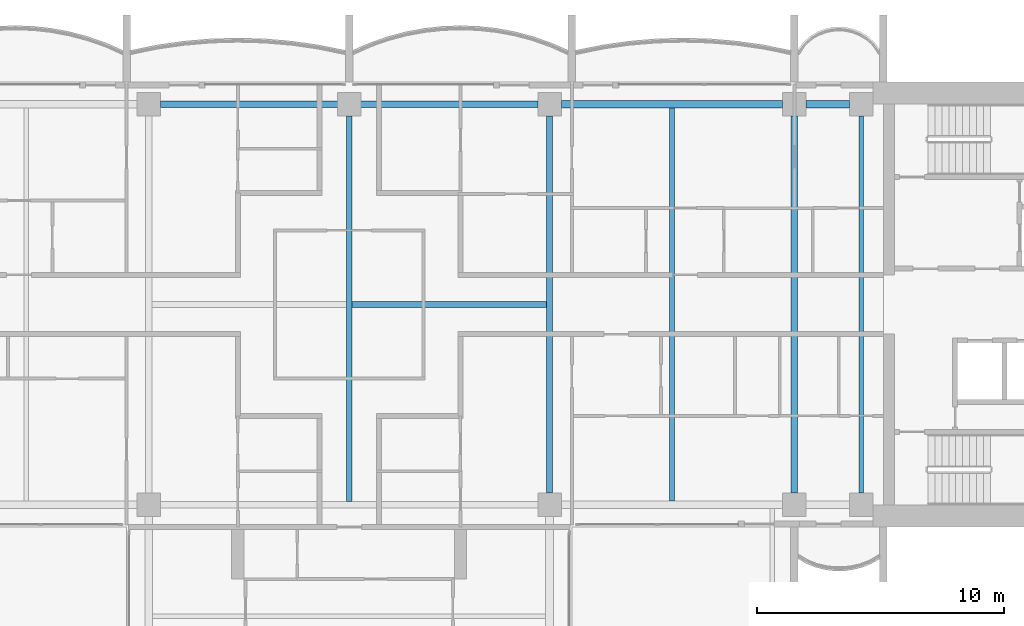
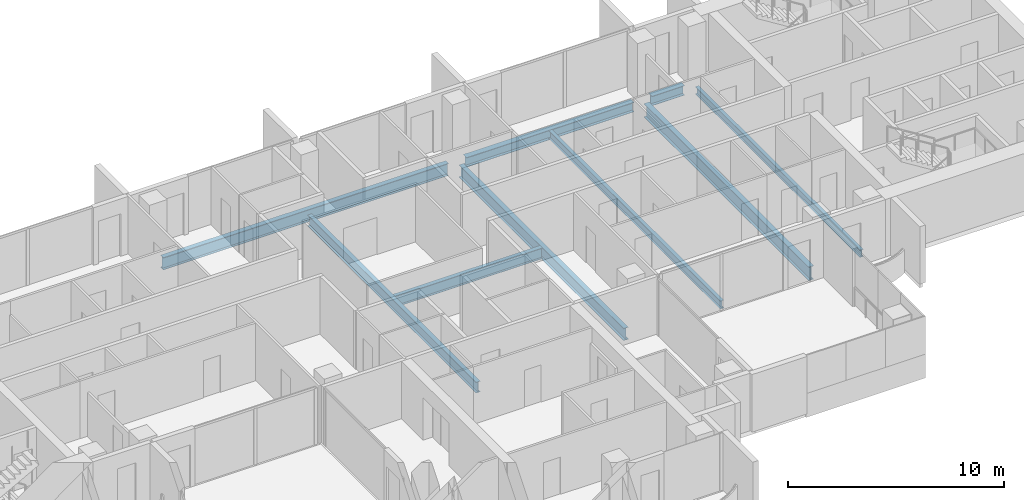
# One storey, part 4 of 17: 9 beams.
"""IFC4 building model written with IfcOpenShell, lengths in metres."""

import ifcopenshell
import ifcopenshell.guid

model = None  # the IFC model being written
_history = None  # IfcOwnerHistory: only IFC2X3 demands one
_inside = {}  # id of a spatial element -> (the spatial element, [elements in it])
_under = {}  # id of a project, library or spatial element -> (it, [spatial elements below it])
_declared = {}  # id of a project -> (the project, [libraries it declares])
_typed = {}  # id of a type object -> (the type object, [elements of that type])
_made_of = {}  # id of a material, layer set ... -> (it, [elements and type objects made of it])


def new_model(schema):
    """Start an empty IFC model of exactly this schema.

    Asked for "IFC4X3", IfcOpenShell would pick the latest addendum, in which some entities
    have other attributes; the version numbers below select the first issue.
    IFC2X3 requires an IfcOwnerHistory on every rooted entity: one is made here for all.
    """
    global model, _history
    if schema == "IFC4X3":
        model = ifcopenshell.file(schema_version=(4, 3, 0, 0))
    else:
        model = ifcopenshell.file(schema=schema)
    _inside.clear()
    _under.clear()
    _declared.clear()
    _typed.clear()
    _made_of.clear()
    _history = None
    if model.schema == "IFC2X3":
        org = make("IfcOrganization", Name="unknown")
        user = make(
            "IfcPersonAndOrganization",
            ThePerson=make("IfcPerson", FamilyName="unknown"),
            TheOrganization=org,
        )
        app = make(
            "IfcApplication",
            ApplicationDeveloper=org,
            Version="unknown",
            ApplicationFullName="unknown",
            ApplicationIdentifier="unknown",
        )
        _history = make(
            "IfcOwnerHistory",
            OwningUser=user,
            OwningApplication=app,
            ChangeAction="ADDED",
            CreationDate=0,
        )
    return model


def make(cls, **values):
    """One entity of the class cls with the attributes given. An attribute that is None is left unset."""
    return model.create_entity(
        cls, **{name: value for name, value in values.items() if value is not None}
    )


def rooted(cls, **values):
    """An entity with a GlobalId (a new one), such as an element, a storey or a relation."""
    return make(cls, GlobalId=ifcopenshell.guid.new(), OwnerHistory=_history, **values)


def si_unit(unit_type, name, prefix=None):
    """IfcSIUnit, for example si_unit("LENGTHUNIT", "METRE", prefix="MILLI")."""
    return make("IfcSIUnit", UnitType=unit_type, Prefix=prefix, Name=name)


def assignment(units):
    """IfcUnitAssignment: the units of a project."""
    return None if units is None else make("IfcUnitAssignment", Units=units)


def point(xyz):
    """IfcCartesianPoint."""
    return None if xyz is None else make("IfcCartesianPoint", Coordinates=xyz)


def direction(xyz):
    """IfcDirection."""
    return None if xyz is None else make("IfcDirection", DirectionRatios=xyz)


def frame(location, z_axis=None, x_axis=None):
    """IfcAxis2Placement3D, a coordinate frame: its origin and axes. An axis left out is left unset."""
    return make(
        "IfcAxis2Placement3D",
        Location=point(location),
        Axis=direction(z_axis),
        RefDirection=direction(x_axis),
    )


def frame_2d(location, x_axis=None):
    """IfcAxis2Placement2D, a coordinate frame in the plane: its origin and x axis."""
    return make(
        "IfcAxis2Placement2D", Location=point(location), RefDirection=direction(x_axis)
    )


def origin():
    """The frame at (0, 0, 0) with its axes left unset."""
    return frame((0.0, 0.0, 0.0))


def origin_2d():
    """The frame at (0, 0) in the plane with its x axis left unset."""
    return frame_2d((0.0, 0.0))


def place(relative_to, where):
    """IfcLocalPlacement: puts the frame where relative to a parent placement (None: the world)."""
    return make(
        "IfcLocalPlacement", PlacementRelTo=relative_to, RelativePlacement=where
    )


def context(
    kind, dimensions, precision=None, world=None, true_north=None, identifier=None
):
    """IfcGeometricRepresentationContext, for example the 3D "Model" context."""
    return make(
        "IfcGeometricRepresentationContext",
        ContextIdentifier=identifier,
        ContextType=kind,
        CoordinateSpaceDimension=dimensions,
        Precision=precision,
        WorldCoordinateSystem=world,
        TrueNorth=true_north,
    )


def subcontext(parent, identifier, kind, view, scale=None):
    """IfcGeometricRepresentationSubContext, for example "Body" below "Model"."""
    return make(
        "IfcGeometricRepresentationSubContext",
        ContextIdentifier=identifier,
        ContextType=kind,
        ParentContext=parent,
        TargetScale=scale,
        TargetView=view,
    )


def project(units=None, contexts=None):
    """IfcProject with its units and contexts."""
    return rooted(
        "IfcProject",
        Name="project",
        RepresentationContexts=contexts,
        UnitsInContext=assignment(units),
    )


def spatial(cls, under=None, at=None, **own):
    """A site, building, storey or space (cls), placed at a placement, below another one or the project."""
    s = rooted(cls, ObjectPlacement=at, **own)
    if under is not None:
        _under.setdefault(under.id(), (under, []))[1].append(s)
    return s


def profile(cls, at=None, kind="AREA", **sizes):
    """A parametric profile (cls). Its sizes go by their IFC names, for example OverallWidth=200.0."""
    return make(cls, ProfileType=kind, Position=at, **sizes)


def i_section(**sizes):
    """IfcIShapeProfileDef."""
    return profile("IfcIShapeProfileDef", **sizes)


def extrude(swept, where, along, depth):
    """IfcExtrudedAreaSolid: the profile swept, set in the frame where, extruded along a direction by depth."""
    return make(
        "IfcExtrudedAreaSolid",
        SweptArea=swept,
        Position=where,
        ExtrudedDirection=direction(along),
        Depth=depth,
    )


def shape(context_of_items, identifier, shape_type, items):
    """IfcShapeRepresentation: the items that make up one representation, for example the "Body"."""
    return make(
        "IfcShapeRepresentation",
        ContextOfItems=context_of_items,
        RepresentationIdentifier=identifier,
        RepresentationType=shape_type,
        Items=items,
    )


def material(Name=None, Category=None):
    """IfcMaterial."""
    return make("IfcMaterial", Name=Name, Category=Category)


def material_profile(
    of_material, cross_section, Name=None, Category=None, Priority=None
):
    """IfcMaterialProfile: a cross section and its material."""
    return make(
        "IfcMaterialProfile",
        Name=Name,
        Material=of_material,
        Profile=cross_section,
        Priority=Priority,
        Category=Category,
    )


def profile_set(profiles, Name=None, composite=None):
    """IfcMaterialProfileSet."""
    return make(
        "IfcMaterialProfileSet",
        Name=Name,
        MaterialProfiles=profiles,
        CompositeProfile=composite,
    )


def made_of(thing, what):
    """Note that an element or type object is made of a material, layer set ...; save() writes the relation."""
    if what is not None:
        _made_of.setdefault(what.id(), (what, []))[1].append(thing)
    return thing


def type_object(cls, material=None, **own):
    """A type object (cls), such as IfcWallType, which elements share."""
    return made_of(rooted(cls, **own), material)


def element(
    cls,
    number,
    at=None,
    inside=None,
    cuts=None,
    type_object=None,
    material=None,
    context=None,
    identifier="Body",
    shape_type=None,
    held_by="IfcProductDefinitionShape",
    body=None,
    shapes=None,
    **own,
):
    """One element of the class cls, such as IfcWall. Its Tag is "e" and its number.

    at: its placement. inside: the storey or other place that contains it. cuts: it is an
    opening in that element (IfcRelVoidsElement). A single representation is given by context,
    identifier, shape_type and body (its items); several are given by shapes. held_by: the class
    of the entity that holds the representations. save() writes the other relations.
    """
    e = rooted(cls, Tag="e%d" % number, ObjectPlacement=at, **own)
    if body is not None:
        shapes = [shape(context, identifier, shape_type, body)]
    if shapes is not None:
        e.Representation = make(held_by, Representations=shapes)
    if inside is not None:
        _inside.setdefault(inside.id(), (inside, []))[1].append(e)
    if cuts is not None:
        rooted(
            "IfcRelVoidsElement", RelatingBuildingElement=cuts, RelatedOpeningElement=e
        )
    if type_object is not None:
        _typed.setdefault(type_object.id(), (type_object, []))[1].append(e)
    return made_of(e, material)


def aggregate(whole, parts):
    """IfcRelAggregates: a whole, such as a stair, and the parts it consists of."""
    return rooted("IfcRelAggregates", RelatingObject=whole, RelatedObjects=parts)


def save(model, path):
    """Write the relations noted so far, then the file.

    IfcRelAggregates (storeys below a building ...), IfcRelContainedInSpatialStructure (elements
    in a storey), IfcRelDefinesByType, IfcRelAssociatesMaterial and IfcRelDeclares: one each for
    every whole, place, type object, material and project.
    """
    for whole, parts in _under.values():
        aggregate(whole, parts)
    for where, things in _inside.values():
        rooted(
            "IfcRelContainedInSpatialStructure",
            RelatedElements=things,
            RelatingStructure=where,
        )
    for kind, things in _typed.values():
        rooted("IfcRelDefinesByType", RelatedObjects=things, RelatingType=kind)
    for what, things in _made_of.values():
        rooted("IfcRelAssociatesMaterial", RelatedObjects=things, RelatingMaterial=what)
    for by, libraries in _declared.values():
        rooted("IfcRelDeclares", RelatingContext=by, RelatedDefinitions=libraries)
    model.write(path)


model = new_model("IFC4")

# Units and contexts
model_context = context("Model", 3, precision=1e-05, world=origin(), true_north=direction((0.0, 1.0)))
body_context = subcontext(model_context, "Body", "Model", "MODEL_VIEW")
ifc_project = project(units=[si_unit("LENGTHUNIT", "METRE"), si_unit("AREAUNIT", "SQUARE_METRE"), si_unit("VOLUMEUNIT", "CUBIC_METRE"), si_unit("PLANEANGLEUNIT", "RADIAN"), si_unit("MASSUNIT", "GRAM", prefix="KILO")], contexts=[model_context])

# Site, building, storey
site_placement = place(None, origin())
site = spatial("IfcSite", under=ifc_project, at=site_placement, CompositionType="ELEMENT")
building_placement = place(site_placement, origin())
building = spatial("IfcBuilding", under=site, at=building_placement, Name="Perihelion Cross Residences", CompositionType="ELEMENT")
storey_placement = place(building_placement, frame((0.0, 0.0, 184.10009765625)))
storey = spatial("IfcBuildingStorey", under=building, at=storey_placement, Name="L45", CompositionType="ELEMENT", Elevation=184.10009765625)

# Beams
ifc_material_1 = material(Name="Steel S355", Category="steel")
ifc_material_profile_1 = material_profile(ifc_material_1, i_section(OverallWidth=0.180908203125, OverallDepth=0.4169921875, WebThickness=0.010986328125, FlangeThickness=0.018310546875, at=origin_2d()), Name="W410x85")
ifc_profile_set_1 = profile_set([ifc_material_profile_1], Name="Steel S355")
beam_type_1 = type_object("IfcBeamType", Name="Core edge beam W410x85", PredefinedType="BEAM", material=ifc_profile_set_1)
beam_1_placement = place(storey_placement, frame((20.699951171875, -7.625, -0.45849609375), z_axis=(0.0, 1.0, 0.0), x_axis=(-1.0, 0.0, 0.0)))
element("IfcBeam", 1, at=beam_1_placement, inside=storey, type_object=beam_type_1, Name="Core edge beam TB6 L45 no. 2", PredefinedType="BEAM", context=body_context, shape_type="SweptSolid", body=[
    extrude(i_section(OverallWidth=0.180908203125, OverallDepth=0.4169921875, WebThickness=0.010986328125, FlangeThickness=0.018310546875, at=origin_2d()), origin(), (0.0, 0.0, 1.0), 15.25),
])
ifc_material_2 = material(Name="Steel S355", Category="steel")
ifc_material_profile_2 = material_profile(ifc_material_2, i_section(OverallWidth=0.31201171875, OverallDepth=0.5439453125, WebThickness=0.0126953125, FlangeThickness=0.020263671875, at=origin_2d()), Name="W530x150")
ifc_profile_set_2 = profile_set([ifc_material_profile_2], Name="Steel S355")
beam_type_2 = type_object("IfcBeamType", Name="Edge beam W530x150", PredefinedType="SPANDREL", material=ifc_profile_set_2)
beam_2_placement = place(storey_placement, frame((20.22509765625, 8.10009765625, -0.522216796875), z_axis=(-1.0, 0.0, 0.0), x_axis=(0.0, -1.0, 0.0)))
element("IfcBeam", 2, at=beam_2_placement, inside=storey, type_object=beam_type_2, Name="Edge beam SB4 L45 no. 10", PredefinedType="SPANDREL", context=body_context, shape_type="SweptSolid", body=[
    extrude(i_section(OverallWidth=0.31201171875, OverallDepth=0.5439453125, WebThickness=0.0126953125, FlangeThickness=0.020263671875, at=origin_2d()), origin(), (0.0, 0.0, 1.0), 1.75),
])
beam_3_placement = place(storey_placement, frame((17.52490234375, 8.10009765625, -0.522216796875), z_axis=(-1.0, 0.0, 0.0), x_axis=(0.0, -1.0, 0.0)))
element("IfcBeam", 3, at=beam_3_placement, inside=storey, type_object=beam_type_2, Name="Edge beam SB4 L45 no. 9", PredefinedType="SPANDREL", context=body_context, shape_type="SweptSolid", body=[
    extrude(i_section(OverallWidth=0.31201171875, OverallDepth=0.5439453125, WebThickness=0.0126953125, FlangeThickness=0.020263671875, at=origin_2d()), origin(), (0.0, 0.0, 1.0), 8.949951171875),
])
ifc_material_3 = material(Name="Steel S355", Category="steel")
ifc_material_profile_3 = material_profile(ifc_material_3, i_section(OverallWidth=0.26708984375, OverallDepth=0.77001953125, WebThickness=0.015625, FlangeThickness=0.025390625, at=origin_2d()), Name="W760x196")
ifc_profile_set_3 = profile_set([ifc_material_profile_3], Name="Steel S355")
beam_type_3 = type_object("IfcBeamType", Name="Floor girder W760x196", PredefinedType="BEAM", material=ifc_profile_set_3)
beam_4_placement = place(storey_placement, frame((18.0, -7.625, -0.635009765625), z_axis=(0.0, 1.0, 0.0), x_axis=(-1.0, 0.0, 0.0)))
element("IfcBeam", 4, at=beam_4_placement, inside=storey, type_object=beam_type_3, Name="Girder G4 L45 no. 2", PredefinedType="BEAM", context=body_context, shape_type="SweptSolid", body=[
    extrude(i_section(OverallWidth=0.26708984375, OverallDepth=0.77001953125, WebThickness=0.015625, FlangeThickness=0.025390625, at=origin_2d()), origin(), (0.0, 0.0, 1.0), 15.25),
])
ifc_material_4 = material(Name="Steel S355", Category="steel")
ifc_material_profile_4 = material_profile(ifc_material_4, i_section(OverallWidth=0.19091796875, OverallDepth=0.45703125, WebThickness=0.009033203125, FlangeThickness=0.014404296875, at=origin_2d()), Name="W460x74")
ifc_profile_set_4 = profile_set([ifc_material_profile_4], Name="Steel S355")
beam_type_4 = type_object("IfcBeamType", Name="Floor joist W460x74", PredefinedType="JOIST", material=ifc_profile_set_4)
beam_5_placement = place(storey_placement, frame((13.050048828125, -7.944091796875, -0.478515625), z_axis=(0.0, 1.0, 0.0), x_axis=(-1.0, 0.0, 0.0)))
element("IfcBeam", 5, at=beam_5_placement, inside=storey, type_object=beam_type_4, Name="Joist J5 L45 no. 2", PredefinedType="JOIST", context=body_context, shape_type="SweptSolid", body=[
    extrude(i_section(OverallWidth=0.19091796875, OverallDepth=0.45703125, WebThickness=0.009033203125, FlangeThickness=0.014404296875, at=origin_2d()), origin(), (0.0, 0.0, 1.0), 15.88818359375),
])
ifc_material_5 = material(Name="Steel S355", Category="steel")
ifc_material_profile_5 = material_profile(ifc_material_5, i_section(OverallWidth=0.22900390625, OverallDepth=0.612060546875, WebThickness=0.011962890625, FlangeThickness=0.01953125, at=origin_2d()), Name="W610x125")
ifc_profile_set_5 = profile_set([ifc_material_profile_5], Name="Steel S355")
beam_type_5 = type_object("IfcBeamType", Name="Hub cross beam W610x125", PredefinedType="BEAM", material=ifc_profile_set_5)
beam_6_placement = place(storey_placement, frame((0.0, -7.971435546875, -0.55615234375), z_axis=(0.0, 1.0, 0.0), x_axis=(-1.0, 0.0, 0.0)))
element("IfcBeam", 6, at=beam_6_placement, inside=storey, type_object=beam_type_5, Name="Hub cross beam XB4 L45 no. 1", PredefinedType="BEAM", context=body_context, shape_type="SweptSolid", body=[
    extrude(i_section(OverallWidth=0.22900390625, OverallDepth=0.612060546875, WebThickness=0.011962890625, FlangeThickness=0.01953125, at=origin_2d()), origin(), (0.0, 0.0, 1.0), 15.596435546875),
])
beam_7_placement = place(storey_placement, frame((0.114501953125, 0.0, -0.55615234375), z_axis=(1.0, 0.0, 0.0), x_axis=(0.0, 1.0, 0.0)))
element("IfcBeam", 7, at=beam_7_placement, inside=storey, type_object=beam_type_5, Name="Hub cross beam XB4 L45 2 no. 1", PredefinedType="BEAM", context=body_context, shape_type="SweptSolid", body=[
    extrude(i_section(OverallWidth=0.22900390625, OverallDepth=0.612060546875, WebThickness=0.011962890625, FlangeThickness=0.01953125, at=origin_2d()), origin(), (0.0, 0.0, 1.0), 7.85693359375),
])
ifc_material_6 = material(Name="Steel S355", Category="steel")
ifc_material_profile_6 = material_profile(ifc_material_6, i_section(OverallWidth=0.257080078125, OverallDepth=0.693115234375, WebThickness=0.014404296875, FlangeThickness=0.023681640625, at=origin_2d()), Name="W690x170")
ifc_profile_set_6 = profile_set([ifc_material_profile_6], Name="Steel S355")
beam_type_6 = type_object("IfcBeamType", Name="Hub ring girder W690x170", PredefinedType="BEAM", material=ifc_profile_set_6)
for number, where, z_axis, x_axis, name in (
    (8, (8.10009765625, -7.625, -0.5966796875), (0.0, 1.0, 0.0), (-1.0, 0.0, 0.0), "Hub ring girder RG4 L45 no. 3"),
    (9, (7.625, 8.10009765625, -0.5966796875), (-1.0, 0.0, 0.0), (0.0, -1.0, 0.0), "Hub ring girder RG4 L45 no. 4"),
):
    element("IfcBeam", number, at=place(storey_placement, frame(where, z_axis=z_axis, x_axis=x_axis)), inside=storey, type_object=beam_type_6, Name=name, PredefinedType="BEAM", context=body_context, shape_type="SweptSolid", body=[
        extrude(i_section(OverallWidth=0.257080078125, OverallDepth=0.693115234375, WebThickness=0.014404296875, FlangeThickness=0.023681640625, at=origin_2d()), origin(), (0.0, 0.0, 1.0), 15.25),
    ])

save(model, "model.ifc")
